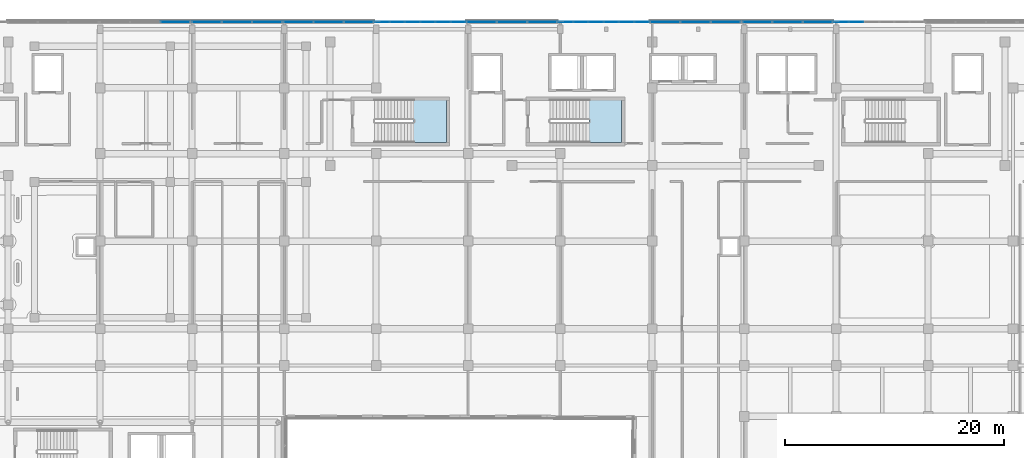
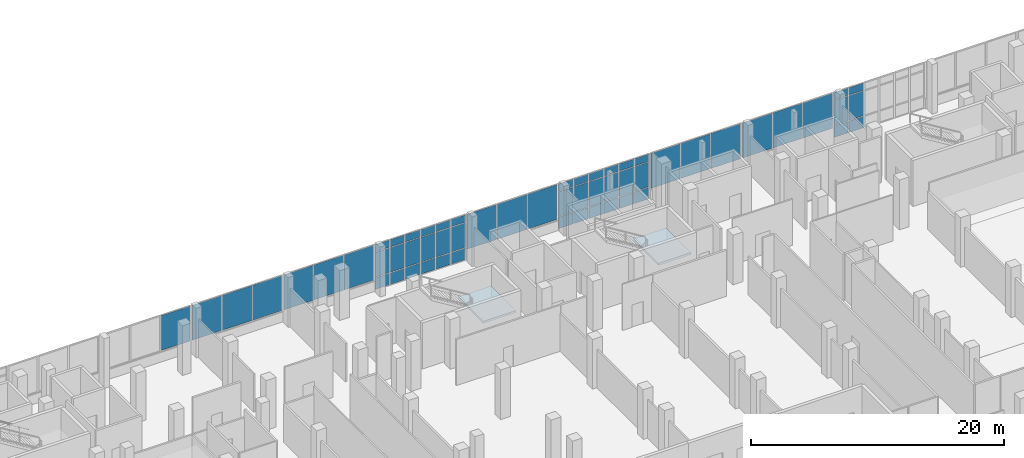
# One storey, part 135 of 168: 58 plates, 2 slabs, 11 elements without a shape of their own.
"""IFC4 building model written with IfcOpenShell, lengths in metres."""

from ifc_helpers import new_model, si_unit, direction, frame, origin, origin_2d, place, context, subcontext, project, spatial, polyline, rectangle, outline, extrude, material, layer, layer_set, type_object, element, aggregate, save


model = new_model("IFC4")

# Units and contexts
model_context = context("Model", 3, precision=1e-05, world=origin(), true_north=direction((0.0, 1.0)))
body_context = subcontext(model_context, "Body", "Model", "MODEL_VIEW")
ifc_project = project(units=[si_unit("LENGTHUNIT", "METRE"), si_unit("AREAUNIT", "SQUARE_METRE"), si_unit("VOLUMEUNIT", "CUBIC_METRE"), si_unit("PLANEANGLEUNIT", "RADIAN"), si_unit("MASSUNIT", "GRAM", prefix="KILO")], contexts=[model_context])

# Site, building, storey
site_placement = place(None, origin())
site = spatial("IfcSite", under=ifc_project, at=site_placement, CompositionType="ELEMENT")
building_placement = place(site_placement, origin())
building = spatial("IfcBuilding", under=site, at=building_placement, Name="Selatvlak General Hospital", CompositionType="ELEMENT")
storey_placement = place(building_placement, frame((0.0, 0.0, 5.39990234375)))
storey = spatial("IfcBuildingStorey", under=building, at=storey_placement, Name="L01", CompositionType="ELEMENT", Elevation=5.39990234375)

# Curtain wall, plate
ifc_material_1 = material(Name="Solar-control Low-E double glazing", Category="glass")
curtain_wall_type_1 = type_object("IfcCurtainWallType", Name="CW-CW-01", PredefinedType="USERDEFINED", material=ifc_material_1)
curtain_wall_1_placement = place(storey_placement, origin())
curtain_wall_1 = element("IfcCurtainWall", 1, at=curtain_wall_1_placement, inside=storey, type_object=curtain_wall_type_1, Name="Glazed facade curtain wall CW-L01-0118", ObjectType="UNITISED CURTAIN WALL", PredefinedType="USERDEFINED")
ifc_layer_1 = layer(ifc_material_1, 0.028076171875, Name="Solar-control Low-E double glazing", Category="glass")
ifc_layer_set_1 = layer_set([ifc_layer_1], Name="Solar-control Low-E double glazing")
plate_type = type_object("IfcPlateType", Name="CWP-01", PredefinedType="CURTAIN_PANEL", material=ifc_layer_set_1)
plate_1_placement = place(storey_placement, frame((71.6455078125, 119.9990234375, 1.005126953125), z_axis=(0.0, 0.0, 1.0), x_axis=(1.0, 0.0, 0.0)))
plate_1 = element("IfcPlate", 2, at=plate_1_placement, type_object=plate_type, Name="CW-01 panel 3.1", PredefinedType="CURTAIN_PANEL", context=body_context, shape_type="SweptSolid", body=[
    extrude(rectangle(XDim=2.669189453125, YDim=0.028076171875, at=origin_2d()), origin(), (0.0, 0.0, 1.0), 3.375),
])
aggregate(curtain_wall_1, [plate_1])

# Curtain wall, plates
curtain_wall_type_2 = type_object("IfcCurtainWallType", Name="CW-CW-02", PredefinedType="USERDEFINED", material=ifc_material_1)
curtain_wall_2_placement = place(storey_placement, origin())
curtain_wall_2 = element("IfcCurtainWall", 3, at=curtain_wall_2_placement, inside=storey, type_object=curtain_wall_type_2, Name="Glazed facade curtain wall CW-L01-0119", ObjectType="UNITISED CURTAIN WALL", PredefinedType="USERDEFINED")
plate_2_placement = place(storey_placement, frame((74.524658203125, 119.9990234375, 1.005126953125), z_axis=(0.0, 0.0, 1.0), x_axis=(1.0, 0.0, 0.0)))
plate_2 = element("IfcPlate", 4, at=plate_2_placement, type_object=plate_type, Name="CW-02 panel 1.1", PredefinedType="CURTAIN_PANEL", context=body_context, shape_type="SweptSolid", body=[
    extrude(rectangle(XDim=2.669189453125, YDim=0.028076171875, at=origin_2d()), origin(), (0.0, 0.0, 1.0), 3.375),
])
plate_3_placement = place(storey_placement, frame((77.27490234375, 119.9990234375, 1.005126953125), z_axis=(0.0, 0.0, 1.0), x_axis=(1.0, 0.0, 0.0)))
plate_3 = element("IfcPlate", 5, at=plate_3_placement, type_object=plate_type, Name="CW-02 panel 2.1", PredefinedType="CURTAIN_PANEL", context=body_context, shape_type="SweptSolid", body=[
    extrude(rectangle(XDim=2.70166015625, YDim=0.028076171875, at=origin_2d()), origin(), (0.0, 0.0, 1.0), 3.375),
])
plate_4_placement = place(storey_placement, frame((80.025390625, 119.9990234375, 1.005126953125), z_axis=(0.0, 0.0, 1.0), x_axis=(1.0, 0.0, 0.0)))
plate_4 = element("IfcPlate", 6, at=plate_4_placement, type_object=plate_type, Name="CW-02 panel 3.1", PredefinedType="CURTAIN_PANEL", context=body_context, shape_type="SweptSolid", body=[
    extrude(rectangle(XDim=2.669189453125, YDim=0.028076171875, at=origin_2d()), origin(), (0.0, 0.0, 1.0), 3.375),
])
aggregate(curtain_wall_2, [plate_2, plate_3, plate_4])

curtain_wall_3_placement = place(storey_placement, origin())
curtain_wall_3 = element("IfcCurtainWall", 7, at=curtain_wall_3_placement, inside=storey, type_object=curtain_wall_type_1, Name="Glazed facade curtain wall CW-L01-0120", ObjectType="UNITISED CURTAIN WALL", PredefinedType="USERDEFINED")
plate_5_placement = place(storey_placement, frame((82.904541015625, 119.9990234375, 1.005126953125), z_axis=(0.0, 0.0, 1.0), x_axis=(1.0, 0.0, 0.0)))
plate_5 = element("IfcPlate", 8, at=plate_5_placement, type_object=plate_type, Name="CW-01 panel 1.1", PredefinedType="CURTAIN_PANEL", context=body_context, shape_type="SweptSolid", body=[
    extrude(rectangle(XDim=2.669189453125, YDim=0.028076171875, at=origin_2d()), origin(), (0.0, 0.0, 1.0), 3.375),
])
plate_6_placement = place(storey_placement, frame((85.655029296875, 119.9990234375, 1.005126953125), z_axis=(0.0, 0.0, 1.0), x_axis=(1.0, 0.0, 0.0)))
plate_6 = element("IfcPlate", 9, at=plate_6_placement, type_object=plate_type, Name="CW-01 panel 2.1", PredefinedType="CURTAIN_PANEL", context=body_context, shape_type="SweptSolid", body=[
    extrude(rectangle(XDim=2.70166015625, YDim=0.028076171875, at=origin_2d()), origin(), (0.0, 0.0, 1.0), 3.375),
])
plate_7_placement = place(storey_placement, frame((88.405517578125, 119.9990234375, 1.005126953125), z_axis=(0.0, 0.0, 1.0), x_axis=(1.0, 0.0, 0.0)))
plate_7 = element("IfcPlate", 10, at=plate_7_placement, type_object=plate_type, Name="CW-01 panel 3.1", PredefinedType="CURTAIN_PANEL", context=body_context, shape_type="SweptSolid", body=[
    extrude(rectangle(XDim=2.669189453125, YDim=0.028076171875, at=origin_2d()), origin(), (0.0, 0.0, 1.0), 3.375),
])
aggregate(curtain_wall_3, [plate_5, plate_6, plate_7])

curtain_wall_type_3 = type_object("IfcCurtainWallType", Name="CW-CW-04", PredefinedType="USERDEFINED", material=ifc_material_1)
curtain_wall_4_placement = place(storey_placement, origin())
curtain_wall_4 = element("IfcCurtainWall", 11, at=curtain_wall_4_placement, inside=storey, type_object=curtain_wall_type_3, Name="Glazed facade curtain wall CW-L01-0121", ObjectType="STICK GLAZING WALL", PredefinedType="USERDEFINED")
plate_8_placement = place(storey_placement, frame((90.547119140625, 119.9990234375, 0.065185546875), z_axis=(0.0, 0.0, 1.0), x_axis=(1.0, 0.0, 0.0)))
plate_8 = element("IfcPlate", 12, at=plate_8_placement, type_object=plate_type, Name="CW-04 panel 1.1", PredefinedType="CURTAIN_PANEL", context=body_context, shape_type="SweptSolid", body=[
    extrude(rectangle(XDim=1.294189453125, YDim=0.028076171875, at=origin_2d()), origin(), (0.0, 0.0, 1.0), 1.1025390625),
])
plate_9_placement = place(storey_placement, frame((90.547119140625, 119.9990234375, 1.232666015625), z_axis=(0.0, 0.0, 1.0), x_axis=(1.0, 0.0, 0.0)))
plate_9 = element("IfcPlate", 13, at=plate_9_placement, type_object=plate_type, Name="CW-04 panel 1.2", PredefinedType="CURTAIN_PANEL", context=body_context, shape_type="SweptSolid", body=[
    extrude(rectangle(XDim=1.294189453125, YDim=0.028076171875, at=origin_2d()), origin(), (0.0, 0.0, 1.0), 2.3798828125),
])
plate_10_placement = place(storey_placement, frame((90.547119140625, 119.9990234375, 3.677734375), z_axis=(0.0, 0.0, 1.0), x_axis=(1.0, 0.0, 0.0)))
plate_10 = element("IfcPlate", 14, at=plate_10_placement, type_object=plate_type, Name="CW-04 panel 1.3", PredefinedType="CURTAIN_PANEL", context=body_context, shape_type="SweptSolid", body=[
    extrude(rectangle(XDim=1.294189453125, YDim=0.028076171875, at=origin_2d()), origin(), (0.0, 0.0, 1.0), 0.702392578125),
])
plate_11_placement = place(storey_placement, frame((91.922607421875, 119.9990234375, 0.065185546875), z_axis=(0.0, 0.0, 1.0), x_axis=(1.0, 0.0, 0.0)))
plate_11 = element("IfcPlate", 15, at=plate_11_placement, type_object=plate_type, Name="CW-04 panel 2.1", PredefinedType="CURTAIN_PANEL", context=body_context, shape_type="SweptSolid", body=[
    extrude(rectangle(XDim=1.32666015625, YDim=0.028076171875, at=origin_2d()), origin(), (0.0, 0.0, 1.0), 1.1025390625),
])
plate_12_placement = place(storey_placement, frame((91.922607421875, 119.9990234375, 1.232666015625), z_axis=(0.0, 0.0, 1.0), x_axis=(1.0, 0.0, 0.0)))
plate_12 = element("IfcPlate", 16, at=plate_12_placement, type_object=plate_type, Name="CW-04 panel 2.2", PredefinedType="CURTAIN_PANEL", context=body_context, shape_type="SweptSolid", body=[
    extrude(rectangle(XDim=1.32666015625, YDim=0.028076171875, at=origin_2d()), origin(), (0.0, 0.0, 1.0), 2.3798828125),
])
plate_13_placement = place(storey_placement, frame((91.922607421875, 119.9990234375, 3.677734375), z_axis=(0.0, 0.0, 1.0), x_axis=(1.0, 0.0, 0.0)))
plate_13 = element("IfcPlate", 17, at=plate_13_placement, type_object=plate_type, Name="CW-04 panel 2.3", PredefinedType="CURTAIN_PANEL", context=body_context, shape_type="SweptSolid", body=[
    extrude(rectangle(XDim=1.32666015625, YDim=0.028076171875, at=origin_2d()), origin(), (0.0, 0.0, 1.0), 0.702392578125),
])
plate_14_placement = place(storey_placement, frame((93.314208984375, 119.9990234375, 0.065185546875), z_axis=(0.0, 0.0, 1.0), x_axis=(1.0, 0.0, 0.0)))
plate_14 = element("IfcPlate", 18, at=plate_14_placement, type_object=plate_type, Name="CW-04 panel 3.1", PredefinedType="CURTAIN_PANEL", context=body_context, shape_type="SweptSolid", body=[
    extrude(rectangle(XDim=1.32666015625, YDim=0.028076171875, at=origin_2d()), origin(), (0.0, 0.0, 1.0), 1.1025390625),
])
plate_15_placement = place(storey_placement, frame((93.314208984375, 119.9990234375, 1.232666015625), z_axis=(0.0, 0.0, 1.0), x_axis=(1.0, 0.0, 0.0)))
plate_15 = element("IfcPlate", 19, at=plate_15_placement, type_object=plate_type, Name="CW-04 panel 3.2", PredefinedType="CURTAIN_PANEL", context=body_context, shape_type="SweptSolid", body=[
    extrude(rectangle(XDim=1.32666015625, YDim=0.028076171875, at=origin_2d()), origin(), (0.0, 0.0, 1.0), 2.3798828125),
])
plate_16_placement = place(storey_placement, frame((93.314208984375, 119.9990234375, 3.677734375), z_axis=(0.0, 0.0, 1.0), x_axis=(1.0, 0.0, 0.0)))
plate_16 = element("IfcPlate", 20, at=plate_16_placement, type_object=plate_type, Name="CW-04 panel 3.3", PredefinedType="CURTAIN_PANEL", context=body_context, shape_type="SweptSolid", body=[
    extrude(rectangle(XDim=1.32666015625, YDim=0.028076171875, at=origin_2d()), origin(), (0.0, 0.0, 1.0), 0.702392578125),
])
plate_17_placement = place(storey_placement, frame((94.705810546875, 119.9990234375, 0.065185546875), z_axis=(0.0, 0.0, 1.0), x_axis=(1.0, 0.0, 0.0)))
plate_17 = element("IfcPlate", 21, at=plate_17_placement, type_object=plate_type, Name="CW-04 panel 4.1", PredefinedType="CURTAIN_PANEL", context=body_context, shape_type="SweptSolid", body=[
    extrude(rectangle(XDim=1.32666015625, YDim=0.028076171875, at=origin_2d()), origin(), (0.0, 0.0, 1.0), 1.1025390625),
])
plate_18_placement = place(storey_placement, frame((94.705810546875, 119.9990234375, 1.232666015625), z_axis=(0.0, 0.0, 1.0), x_axis=(1.0, 0.0, 0.0)))
plate_18 = element("IfcPlate", 22, at=plate_18_placement, type_object=plate_type, Name="CW-04 panel 4.2", PredefinedType="CURTAIN_PANEL", context=body_context, shape_type="SweptSolid", body=[
    extrude(rectangle(XDim=1.32666015625, YDim=0.028076171875, at=origin_2d()), origin(), (0.0, 0.0, 1.0), 2.3798828125),
])
plate_19_placement = place(storey_placement, frame((94.705810546875, 119.9990234375, 3.677734375), z_axis=(0.0, 0.0, 1.0), x_axis=(1.0, 0.0, 0.0)))
plate_19 = element("IfcPlate", 23, at=plate_19_placement, type_object=plate_type, Name="CW-04 panel 4.3", PredefinedType="CURTAIN_PANEL", context=body_context, shape_type="SweptSolid", body=[
    extrude(rectangle(XDim=1.32666015625, YDim=0.028076171875, at=origin_2d()), origin(), (0.0, 0.0, 1.0), 0.702392578125),
])
plate_20_placement = place(storey_placement, frame((96.097412109375, 119.9990234375, 0.065185546875), z_axis=(0.0, 0.0, 1.0), x_axis=(1.0, 0.0, 0.0)))
plate_20 = element("IfcPlate", 24, at=plate_20_placement, type_object=plate_type, Name="CW-04 panel 5.1", PredefinedType="CURTAIN_PANEL", context=body_context, shape_type="SweptSolid", body=[
    extrude(rectangle(XDim=1.32666015625, YDim=0.028076171875, at=origin_2d()), origin(), (0.0, 0.0, 1.0), 1.1025390625),
])
plate_21_placement = place(storey_placement, frame((96.097412109375, 119.9990234375, 1.232666015625), z_axis=(0.0, 0.0, 1.0), x_axis=(1.0, 0.0, 0.0)))
plate_21 = element("IfcPlate", 25, at=plate_21_placement, type_object=plate_type, Name="CW-04 panel 5.2", PredefinedType="CURTAIN_PANEL", context=body_context, shape_type="SweptSolid", body=[
    extrude(rectangle(XDim=1.32666015625, YDim=0.028076171875, at=origin_2d()), origin(), (0.0, 0.0, 1.0), 2.3798828125),
])
plate_22_placement = place(storey_placement, frame((96.097412109375, 119.9990234375, 3.677734375), z_axis=(0.0, 0.0, 1.0), x_axis=(1.0, 0.0, 0.0)))
plate_22 = element("IfcPlate", 26, at=plate_22_placement, type_object=plate_type, Name="CW-04 panel 5.3", PredefinedType="CURTAIN_PANEL", context=body_context, shape_type="SweptSolid", body=[
    extrude(rectangle(XDim=1.32666015625, YDim=0.028076171875, at=origin_2d()), origin(), (0.0, 0.0, 1.0), 0.702392578125),
])
plate_23_placement = place(storey_placement, frame((97.472900390625, 119.9990234375, 0.065185546875), z_axis=(0.0, 0.0, 1.0), x_axis=(1.0, 0.0, 0.0)))
plate_23 = element("IfcPlate", 27, at=plate_23_placement, type_object=plate_type, Name="CW-04 panel 6.1", PredefinedType="CURTAIN_PANEL", context=body_context, shape_type="SweptSolid", body=[
    extrude(rectangle(XDim=1.294189453125, YDim=0.028076171875, at=origin_2d()), origin(), (0.0, 0.0, 1.0), 1.1025390625),
])
plate_24_placement = place(storey_placement, frame((97.472900390625, 119.9990234375, 1.232666015625), z_axis=(0.0, 0.0, 1.0), x_axis=(1.0, 0.0, 0.0)))
plate_24 = element("IfcPlate", 28, at=plate_24_placement, type_object=plate_type, Name="CW-04 panel 6.2", PredefinedType="CURTAIN_PANEL", context=body_context, shape_type="SweptSolid", body=[
    extrude(rectangle(XDim=1.294189453125, YDim=0.028076171875, at=origin_2d()), origin(), (0.0, 0.0, 1.0), 2.3798828125),
])
plate_25_placement = place(storey_placement, frame((97.472900390625, 119.9990234375, 3.677734375), z_axis=(0.0, 0.0, 1.0), x_axis=(1.0, 0.0, 0.0)))
plate_25 = element("IfcPlate", 29, at=plate_25_placement, type_object=plate_type, Name="CW-04 panel 6.3", PredefinedType="CURTAIN_PANEL", context=body_context, shape_type="SweptSolid", body=[
    extrude(rectangle(XDim=1.294189453125, YDim=0.028076171875, at=origin_2d()), origin(), (0.0, 0.0, 1.0), 0.702392578125),
])
aggregate(curtain_wall_4, [plate_8, plate_9, plate_10, plate_11, plate_12, plate_13, plate_14, plate_15, plate_16, plate_17, plate_18, plate_19, plate_20, plate_21, plate_22, plate_23, plate_24, plate_25])

curtain_wall_5_placement = place(storey_placement, origin())
curtain_wall_5 = element("IfcCurtainWall", 30, at=curtain_wall_5_placement, inside=storey, type_object=curtain_wall_type_1, Name="Glazed facade curtain wall CW-L01-0122", ObjectType="UNITISED CURTAIN WALL", PredefinedType="USERDEFINED")
plate_26_placement = place(storey_placement, frame((99.622802734375, 119.999267578125, 1.005126953125), z_axis=(0.0, 0.0, 1.0), x_axis=(0.999999992827, 0.000119774825, 0.0)))
plate_26 = element("IfcPlate", 31, at=plate_26_placement, type_object=plate_type, Name="CW-01 panel 1.1", PredefinedType="CURTAIN_PANEL", context=body_context, shape_type="SweptSolid", body=[
    extrude(rectangle(XDim=2.685546875, YDim=0.028076171875, at=origin_2d()), origin(), (0.0, 0.0, 1.0), 3.375),
])
plate_27_placement = place(storey_placement, frame((102.389404296875, 119.99951171875, 1.005126953125), z_axis=(0.0, 0.0, 1.0), x_axis=(0.999999992827, 0.000119774825, 0.0)))
plate_27 = element("IfcPlate", 32, at=plate_27_placement, type_object=plate_type, Name="CW-01 panel 2.1", PredefinedType="CURTAIN_PANEL", context=body_context, shape_type="SweptSolid", body=[
    extrude(rectangle(XDim=2.718017578125, YDim=0.028076171875, at=origin_2d()), origin(), (0.0, 0.0, 1.0), 3.375),
])
plate_28_placement = place(storey_placement, frame((105.15625, 119.999755859375, 1.005126953125), z_axis=(0.0, 0.0, 1.0), x_axis=(0.999999992827, 0.000119774825, 0.0)))
plate_28 = element("IfcPlate", 33, at=plate_28_placement, type_object=plate_type, Name="CW-01 panel 3.1", PredefinedType="CURTAIN_PANEL", context=body_context, shape_type="SweptSolid", body=[
    extrude(rectangle(XDim=2.685546875, YDim=0.028076171875, at=origin_2d()), origin(), (0.0, 0.0, 1.0), 3.375),
])
aggregate(curtain_wall_5, [plate_26, plate_27, plate_28])

curtain_wall_6_placement = place(storey_placement, origin())
curtain_wall_6 = element("IfcCurtainWall", 34, at=curtain_wall_6_placement, inside=storey, type_object=curtain_wall_type_3, Name="Glazed facade curtain wall CW-L01-0123", ObjectType="STICK GLAZING WALL", PredefinedType="USERDEFINED")
plate_29_placement = place(storey_placement, frame((107.30615234375, 120.0, 0.065185546875), z_axis=(0.0, 0.0, 1.0), x_axis=(1.0, 0.0, 0.0)))
plate_29 = element("IfcPlate", 35, at=plate_29_placement, type_object=plate_type, Name="CW-04 panel 1.1", PredefinedType="CURTAIN_PANEL", context=body_context, shape_type="SweptSolid", body=[
    extrude(rectangle(XDim=1.294189453125, YDim=0.028076171875, at=origin_2d()), origin(), (0.0, 0.0, 1.0), 1.1025390625),
])
plate_30_placement = place(storey_placement, frame((107.30615234375, 120.0, 1.232666015625), z_axis=(0.0, 0.0, 1.0), x_axis=(1.0, 0.0, 0.0)))
plate_30 = element("IfcPlate", 36, at=plate_30_placement, type_object=plate_type, Name="CW-04 panel 1.2", PredefinedType="CURTAIN_PANEL", context=body_context, shape_type="SweptSolid", body=[
    extrude(rectangle(XDim=1.294189453125, YDim=0.028076171875, at=origin_2d()), origin(), (0.0, 0.0, 1.0), 2.3798828125),
])
plate_31_placement = place(storey_placement, frame((107.30615234375, 120.0, 3.677734375), z_axis=(0.0, 0.0, 1.0), x_axis=(1.0, 0.0, 0.0)))
plate_31 = element("IfcPlate", 37, at=plate_31_placement, type_object=plate_type, Name="CW-04 panel 1.3", PredefinedType="CURTAIN_PANEL", context=body_context, shape_type="SweptSolid", body=[
    extrude(rectangle(XDim=1.294189453125, YDim=0.028076171875, at=origin_2d()), origin(), (0.0, 0.0, 1.0), 0.702392578125),
])
plate_32_placement = place(storey_placement, frame((108.681396484375, 120.0, 0.065185546875), z_axis=(0.0, 0.0, 1.0), x_axis=(1.0, 0.0, 0.0)))
plate_32 = element("IfcPlate", 38, at=plate_32_placement, type_object=plate_type, Name="CW-04 panel 2.1", PredefinedType="CURTAIN_PANEL", context=body_context, shape_type="SweptSolid", body=[
    extrude(rectangle(XDim=1.32666015625, YDim=0.028076171875, at=origin_2d()), origin(), (0.0, 0.0, 1.0), 1.1025390625),
])
plate_33_placement = place(storey_placement, frame((108.681396484375, 120.0, 1.232666015625), z_axis=(0.0, 0.0, 1.0), x_axis=(1.0, 0.0, 0.0)))
plate_33 = element("IfcPlate", 39, at=plate_33_placement, type_object=plate_type, Name="CW-04 panel 2.2", PredefinedType="CURTAIN_PANEL", context=body_context, shape_type="SweptSolid", body=[
    extrude(rectangle(XDim=1.32666015625, YDim=0.028076171875, at=origin_2d()), origin(), (0.0, 0.0, 1.0), 2.3798828125),
])
plate_34_placement = place(storey_placement, frame((108.681396484375, 120.0, 3.677734375), z_axis=(0.0, 0.0, 1.0), x_axis=(1.0, 0.0, 0.0)))
plate_34 = element("IfcPlate", 40, at=plate_34_placement, type_object=plate_type, Name="CW-04 panel 2.3", PredefinedType="CURTAIN_PANEL", context=body_context, shape_type="SweptSolid", body=[
    extrude(rectangle(XDim=1.32666015625, YDim=0.028076171875, at=origin_2d()), origin(), (0.0, 0.0, 1.0), 0.702392578125),
])
plate_35_placement = place(storey_placement, frame((110.0732421875, 120.0, 0.065185546875), z_axis=(0.0, 0.0, 1.0), x_axis=(1.0, 0.0, 0.0)))
plate_35 = element("IfcPlate", 41, at=plate_35_placement, type_object=plate_type, Name="CW-04 panel 3.1", PredefinedType="CURTAIN_PANEL", context=body_context, shape_type="SweptSolid", body=[
    extrude(rectangle(XDim=1.32666015625, YDim=0.028076171875, at=origin_2d()), origin(), (0.0, 0.0, 1.0), 1.1025390625),
])
plate_36_placement = place(storey_placement, frame((110.0732421875, 120.0, 1.232666015625), z_axis=(0.0, 0.0, 1.0), x_axis=(1.0, 0.0, 0.0)))
plate_36 = element("IfcPlate", 42, at=plate_36_placement, type_object=plate_type, Name="CW-04 panel 3.2", PredefinedType="CURTAIN_PANEL", context=body_context, shape_type="SweptSolid", body=[
    extrude(rectangle(XDim=1.32666015625, YDim=0.028076171875, at=origin_2d()), origin(), (0.0, 0.0, 1.0), 2.3798828125),
])
plate_37_placement = place(storey_placement, frame((110.0732421875, 120.0, 3.677734375), z_axis=(0.0, 0.0, 1.0), x_axis=(1.0, 0.0, 0.0)))
plate_37 = element("IfcPlate", 43, at=plate_37_placement, type_object=plate_type, Name="CW-04 panel 3.3", PredefinedType="CURTAIN_PANEL", context=body_context, shape_type="SweptSolid", body=[
    extrude(rectangle(XDim=1.32666015625, YDim=0.028076171875, at=origin_2d()), origin(), (0.0, 0.0, 1.0), 0.702392578125),
])
plate_38_placement = place(storey_placement, frame((111.46484375, 120.0, 0.065185546875), z_axis=(0.0, 0.0, 1.0), x_axis=(1.0, 0.0, 0.0)))
plate_38 = element("IfcPlate", 44, at=plate_38_placement, type_object=plate_type, Name="CW-04 panel 4.1", PredefinedType="CURTAIN_PANEL", context=body_context, shape_type="SweptSolid", body=[
    extrude(rectangle(XDim=1.32666015625, YDim=0.028076171875, at=origin_2d()), origin(), (0.0, 0.0, 1.0), 1.1025390625),
])
plate_39_placement = place(storey_placement, frame((111.46484375, 120.0, 1.232666015625), z_axis=(0.0, 0.0, 1.0), x_axis=(1.0, 0.0, 0.0)))
plate_39 = element("IfcPlate", 45, at=plate_39_placement, type_object=plate_type, Name="CW-04 panel 4.2", PredefinedType="CURTAIN_PANEL", context=body_context, shape_type="SweptSolid", body=[
    extrude(rectangle(XDim=1.32666015625, YDim=0.028076171875, at=origin_2d()), origin(), (0.0, 0.0, 1.0), 2.3798828125),
])
plate_40_placement = place(storey_placement, frame((111.46484375, 120.0, 3.677734375), z_axis=(0.0, 0.0, 1.0), x_axis=(1.0, 0.0, 0.0)))
plate_40 = element("IfcPlate", 46, at=plate_40_placement, type_object=plate_type, Name="CW-04 panel 4.3", PredefinedType="CURTAIN_PANEL", context=body_context, shape_type="SweptSolid", body=[
    extrude(rectangle(XDim=1.32666015625, YDim=0.028076171875, at=origin_2d()), origin(), (0.0, 0.0, 1.0), 0.702392578125),
])
plate_41_placement = place(storey_placement, frame((112.8564453125, 120.0, 0.065185546875), z_axis=(0.0, 0.0, 1.0), x_axis=(1.0, 0.0, 0.0)))
plate_41 = element("IfcPlate", 47, at=plate_41_placement, type_object=plate_type, Name="CW-04 panel 5.1", PredefinedType="CURTAIN_PANEL", context=body_context, shape_type="SweptSolid", body=[
    extrude(rectangle(XDim=1.32666015625, YDim=0.028076171875, at=origin_2d()), origin(), (0.0, 0.0, 1.0), 1.1025390625),
])
plate_42_placement = place(storey_placement, frame((112.8564453125, 120.0, 1.232666015625), z_axis=(0.0, 0.0, 1.0), x_axis=(1.0, 0.0, 0.0)))
plate_42 = element("IfcPlate", 48, at=plate_42_placement, type_object=plate_type, Name="CW-04 panel 5.2", PredefinedType="CURTAIN_PANEL", context=body_context, shape_type="SweptSolid", body=[
    extrude(rectangle(XDim=1.32666015625, YDim=0.028076171875, at=origin_2d()), origin(), (0.0, 0.0, 1.0), 2.3798828125),
])
plate_43_placement = place(storey_placement, frame((112.8564453125, 120.0, 3.677734375), z_axis=(0.0, 0.0, 1.0), x_axis=(1.0, 0.0, 0.0)))
plate_43 = element("IfcPlate", 49, at=plate_43_placement, type_object=plate_type, Name="CW-04 panel 5.3", PredefinedType="CURTAIN_PANEL", context=body_context, shape_type="SweptSolid", body=[
    extrude(rectangle(XDim=1.32666015625, YDim=0.028076171875, at=origin_2d()), origin(), (0.0, 0.0, 1.0), 0.702392578125),
])
plate_44_placement = place(storey_placement, frame((114.23193359375, 120.0, 0.065185546875), z_axis=(0.0, 0.0, 1.0), x_axis=(1.0, 0.0, 0.0)))
plate_44 = element("IfcPlate", 50, at=plate_44_placement, type_object=plate_type, Name="CW-04 panel 6.1", PredefinedType="CURTAIN_PANEL", context=body_context, shape_type="SweptSolid", body=[
    extrude(rectangle(XDim=1.294189453125, YDim=0.028076171875, at=origin_2d()), origin(), (0.0, 0.0, 1.0), 1.1025390625),
])
plate_45_placement = place(storey_placement, frame((114.23193359375, 120.0, 1.232666015625), z_axis=(0.0, 0.0, 1.0), x_axis=(1.0, 0.0, 0.0)))
plate_45 = element("IfcPlate", 51, at=plate_45_placement, type_object=plate_type, Name="CW-04 panel 6.2", PredefinedType="CURTAIN_PANEL", context=body_context, shape_type="SweptSolid", body=[
    extrude(rectangle(XDim=1.294189453125, YDim=0.028076171875, at=origin_2d()), origin(), (0.0, 0.0, 1.0), 2.3798828125),
])
plate_46_placement = place(storey_placement, frame((114.23193359375, 120.0, 3.677734375), z_axis=(0.0, 0.0, 1.0), x_axis=(1.0, 0.0, 0.0)))
plate_46 = element("IfcPlate", 52, at=plate_46_placement, type_object=plate_type, Name="CW-04 panel 6.3", PredefinedType="CURTAIN_PANEL", context=body_context, shape_type="SweptSolid", body=[
    extrude(rectangle(XDim=1.294189453125, YDim=0.028076171875, at=origin_2d()), origin(), (0.0, 0.0, 1.0), 0.702392578125),
])
aggregate(curtain_wall_6, [plate_29, plate_30, plate_31, plate_32, plate_33, plate_34, plate_35, plate_36, plate_37, plate_38, plate_39, plate_40, plate_41, plate_42, plate_43, plate_44, plate_45, plate_46])

curtain_wall_7_placement = place(storey_placement, origin())
curtain_wall_7 = element("IfcCurtainWall", 53, at=curtain_wall_7_placement, inside=storey, type_object=curtain_wall_type_1, Name="Glazed facade curtain wall CW-L01-0124", ObjectType="UNITISED CURTAIN WALL", PredefinedType="USERDEFINED")
plate_47_placement = place(storey_placement, frame((116.3818359375, 120.0, 1.005126953125), z_axis=(0.0, 0.0, 1.0), x_axis=(1.0, 0.0, 0.0)))
plate_47 = element("IfcPlate", 54, at=plate_47_placement, type_object=plate_type, Name="CW-01 panel 1.1", PredefinedType="CURTAIN_PANEL", context=body_context, shape_type="SweptSolid", body=[
    extrude(rectangle(XDim=2.685791015625, YDim=0.028076171875, at=origin_2d()), origin(), (0.0, 0.0, 1.0), 3.375),
])
plate_48_placement = place(storey_placement, frame((119.14892578125, 120.0, 1.005126953125), z_axis=(0.0, 0.0, 1.0), x_axis=(1.0, 0.0, 0.0)))
plate_48 = element("IfcPlate", 55, at=plate_48_placement, type_object=plate_type, Name="CW-01 panel 2.1", PredefinedType="CURTAIN_PANEL", context=body_context, shape_type="SweptSolid", body=[
    extrude(rectangle(XDim=2.71826171875, YDim=0.028076171875, at=origin_2d()), origin(), (0.0, 0.0, 1.0), 3.375),
])
plate_49_placement = place(storey_placement, frame((121.916015625, 120.0, 1.005126953125), z_axis=(0.0, 0.0, 1.0), x_axis=(1.0, 0.0, 0.0)))
plate_49 = element("IfcPlate", 56, at=plate_49_placement, type_object=plate_type, Name="CW-01 panel 3.1", PredefinedType="CURTAIN_PANEL", context=body_context, shape_type="SweptSolid", body=[
    extrude(rectangle(XDim=2.685791015625, YDim=0.028076171875, at=origin_2d()), origin(), (0.0, 0.0, 1.0), 3.375),
])
aggregate(curtain_wall_7, [plate_47, plate_48, plate_49])

curtain_wall_8_placement = place(storey_placement, origin())
curtain_wall_8 = element("IfcCurtainWall", 57, at=curtain_wall_8_placement, inside=storey, type_object=curtain_wall_type_2, Name="Glazed facade curtain wall CW-L01-0125", ObjectType="UNITISED CURTAIN WALL", PredefinedType="USERDEFINED")
plate_50_placement = place(storey_placement, frame((124.803466796875, 120.0, 1.005126953125), z_axis=(0.0, 0.0, 1.0), x_axis=(1.0, 0.0, 0.0)))
plate_50 = element("IfcPlate", 58, at=plate_50_placement, type_object=plate_type, Name="CW-02 panel 1.1", PredefinedType="CURTAIN_PANEL", context=body_context, shape_type="SweptSolid", body=[
    extrude(rectangle(XDim=2.669189453125, YDim=0.028076171875, at=origin_2d()), origin(), (0.0, 0.0, 1.0), 3.375),
])
plate_51_placement = place(storey_placement, frame((127.553955078125, 120.0, 1.005126953125), z_axis=(0.0, 0.0, 1.0), x_axis=(1.0, 0.0, 0.0)))
plate_51 = element("IfcPlate", 59, at=plate_51_placement, type_object=plate_type, Name="CW-02 panel 2.1", PredefinedType="CURTAIN_PANEL", context=body_context, shape_type="SweptSolid", body=[
    extrude(rectangle(XDim=2.70166015625, YDim=0.028076171875, at=origin_2d()), origin(), (0.0, 0.0, 1.0), 3.375),
])
plate_52_placement = place(storey_placement, frame((130.304443359375, 120.0, 1.005126953125), z_axis=(0.0, 0.0, 1.0), x_axis=(1.0, 0.0, 0.0)))
plate_52 = element("IfcPlate", 60, at=plate_52_placement, type_object=plate_type, Name="CW-02 panel 3.1", PredefinedType="CURTAIN_PANEL", context=body_context, shape_type="SweptSolid", body=[
    extrude(rectangle(XDim=2.669189453125, YDim=0.028076171875, at=origin_2d()), origin(), (0.0, 0.0, 1.0), 3.375),
])
aggregate(curtain_wall_8, [plate_50, plate_51, plate_52])

curtain_wall_9_placement = place(storey_placement, origin())
curtain_wall_9 = element("IfcCurtainWall", 61, at=curtain_wall_9_placement, inside=storey, type_object=curtain_wall_type_3, Name="Glazed facade curtain wall CW-L01-0126", ObjectType="STICK GLAZING WALL", PredefinedType="USERDEFINED")
plate_53_placement = place(storey_placement, frame((132.446044921875, 120.0, 0.065185546875), z_axis=(0.0, 0.0, 1.0), x_axis=(1.0, 0.0, 0.0)))
plate_53 = element("IfcPlate", 62, at=plate_53_placement, type_object=plate_type, Name="CW-04 panel 1.1", PredefinedType="CURTAIN_PANEL", context=body_context, shape_type="SweptSolid", body=[
    extrude(rectangle(XDim=1.294189453125, YDim=0.028076171875, at=origin_2d()), origin(), (0.0, 0.0, 1.0), 1.1025390625),
])
plate_54_placement = place(storey_placement, frame((132.446044921875, 120.0, 1.232666015625), z_axis=(0.0, 0.0, 1.0), x_axis=(1.0, 0.0, 0.0)))
plate_54 = element("IfcPlate", 63, at=plate_54_placement, type_object=plate_type, Name="CW-04 panel 1.2", PredefinedType="CURTAIN_PANEL", context=body_context, shape_type="SweptSolid", body=[
    extrude(rectangle(XDim=1.294189453125, YDim=0.028076171875, at=origin_2d()), origin(), (0.0, 0.0, 1.0), 2.3798828125),
])
plate_55_placement = place(storey_placement, frame((132.446044921875, 120.0, 3.677734375), z_axis=(0.0, 0.0, 1.0), x_axis=(1.0, 0.0, 0.0)))
plate_55 = element("IfcPlate", 64, at=plate_55_placement, type_object=plate_type, Name="CW-04 panel 1.3", PredefinedType="CURTAIN_PANEL", context=body_context, shape_type="SweptSolid", body=[
    extrude(rectangle(XDim=1.294189453125, YDim=0.028076171875, at=origin_2d()), origin(), (0.0, 0.0, 1.0), 0.702392578125),
])
plate_56_placement = place(storey_placement, frame((133.821533203125, 120.0, 0.065185546875), z_axis=(0.0, 0.0, 1.0), x_axis=(1.0, 0.0, 0.0)))
plate_56 = element("IfcPlate", 65, at=plate_56_placement, type_object=plate_type, Name="CW-04 panel 2.1", PredefinedType="CURTAIN_PANEL", context=body_context, shape_type="SweptSolid", body=[
    extrude(rectangle(XDim=1.32666015625, YDim=0.028076171875, at=origin_2d()), origin(), (0.0, 0.0, 1.0), 1.1025390625),
])
plate_57_placement = place(storey_placement, frame((133.821533203125, 120.0, 1.232666015625), z_axis=(0.0, 0.0, 1.0), x_axis=(1.0, 0.0, 0.0)))
plate_57 = element("IfcPlate", 66, at=plate_57_placement, type_object=plate_type, Name="CW-04 panel 2.2", PredefinedType="CURTAIN_PANEL", context=body_context, shape_type="SweptSolid", body=[
    extrude(rectangle(XDim=1.32666015625, YDim=0.028076171875, at=origin_2d()), origin(), (0.0, 0.0, 1.0), 2.3798828125),
])
plate_58_placement = place(storey_placement, frame((133.821533203125, 120.0, 3.677734375), z_axis=(0.0, 0.0, 1.0), x_axis=(1.0, 0.0, 0.0)))
plate_58 = element("IfcPlate", 67, at=plate_58_placement, type_object=plate_type, Name="CW-04 panel 2.3", PredefinedType="CURTAIN_PANEL", context=body_context, shape_type="SweptSolid", body=[
    extrude(rectangle(XDim=1.32666015625, YDim=0.028076171875, at=origin_2d()), origin(), (0.0, 0.0, 1.0), 0.702392578125),
])
aggregate(curtain_wall_9, [plate_53, plate_54, plate_55, plate_56, plate_57, plate_58])

# Stair, slab
ifc_material_2 = material(Name="Precast concrete C40/50", Category="concrete")
stair_type_1 = type_object("IfcStairType", Name="STAIR-ST-02", PredefinedType="HALF_TURN_STAIR", material=ifc_material_2)
stair_1_placement = place(storey_placement, origin())
stair_1 = element("IfcStair", 68, at=stair_1_placement, inside=storey, type_object=stair_type_1, Name="L01 Protected exit stair ST-02", PredefinedType="HALF_TURN_STAIR")
ifc_material_3 = material(Name="Concrete C40/50", Category="concrete")
ifc_layer_2 = layer(ifc_material_3, 0.199951171875, Name="Concrete C40/50", Category="concrete")
ifc_layer_set_2 = layer_set([ifc_layer_2], Name="Concrete C40/50")
slab_type = type_object("IfcSlabType", Name="SLAB-LND1", PredefinedType="LANDING", material=ifc_layer_set_2)
slab_1_placement = place(storey_placement, frame((0.0, 0.0, 2.2001953125)))
slab_1 = element("IfcSlab", 69, at=slab_1_placement, type_object=slab_type, Name="ST-02 landing 1", PredefinedType="LANDING", context=body_context, shape_type="SweptSolid", body=[
    extrude(outline(polyline([(93.4150390625, 109.0), (96.39990234375, 109.0), (96.39990234375, 112.93994140625), (93.4150390625, 112.93994140625), (93.4150390625, 109.0)])), origin(), (0.0, 0.0, 1.0), 0.199951171875),
])
aggregate(stair_1, [slab_1])

stair_type_2 = type_object("IfcStairType", Name="STAIR-ST-03", PredefinedType="HALF_TURN_STAIR", material=ifc_material_2)
stair_2_placement = place(storey_placement, origin())
stair_2 = element("IfcStair", 70, at=stair_2_placement, inside=storey, type_object=stair_type_2, Name="L01 Protected exit stair ST-03", PredefinedType="HALF_TURN_STAIR")
slab_2_placement = place(storey_placement, frame((0.0, 0.0, 2.2001953125)))
slab_2 = element("IfcSlab", 71, at=slab_2_placement, type_object=slab_type, Name="ST-03 landing 1", PredefinedType="LANDING", context=body_context, shape_type="SweptSolid", body=[
    extrude(outline(polyline([(109.4150390625, 109.0), (112.39990234375, 109.0), (112.39990234375, 112.93994140625), (109.4150390625, 112.93994140625), (109.4150390625, 109.0)])), origin(), (0.0, 0.0, 1.0), 0.199951171875),
])
aggregate(stair_2, [slab_2])

save(model, "model.ifc")
